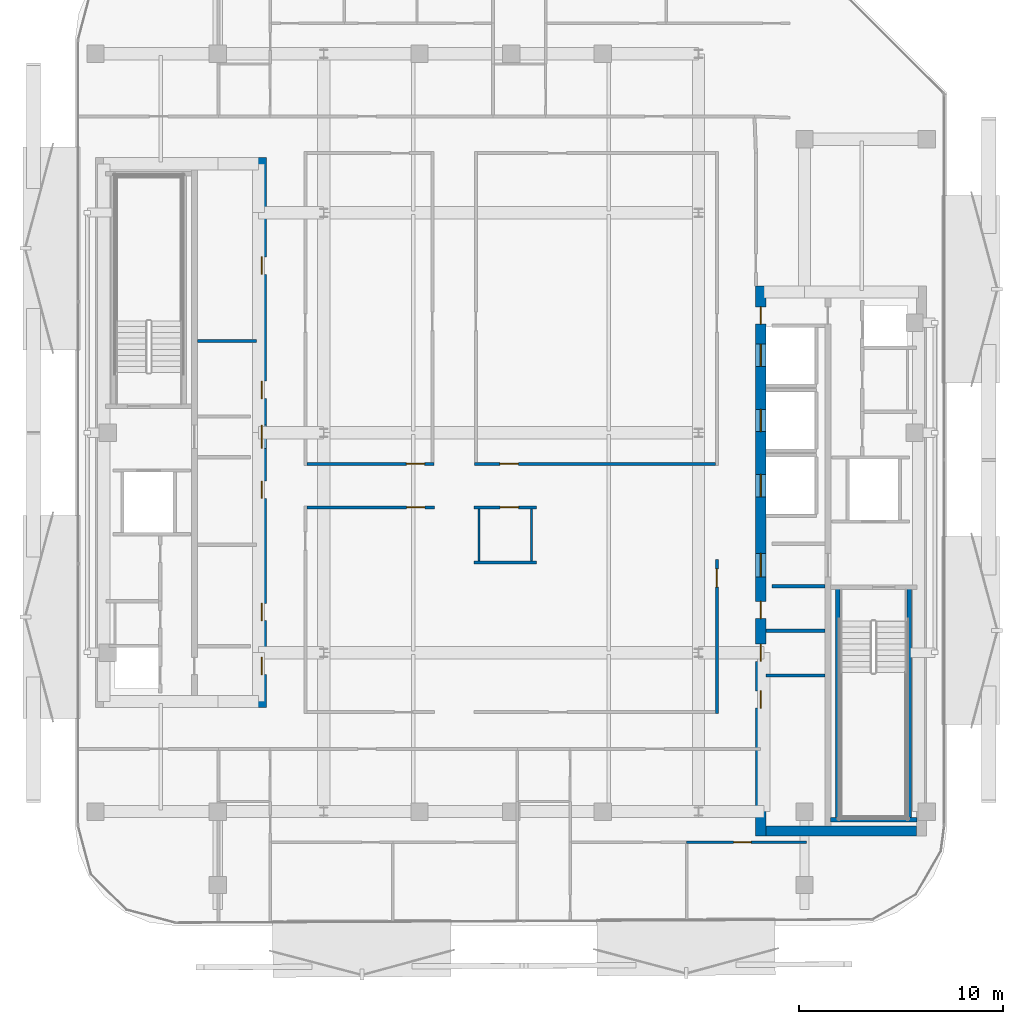
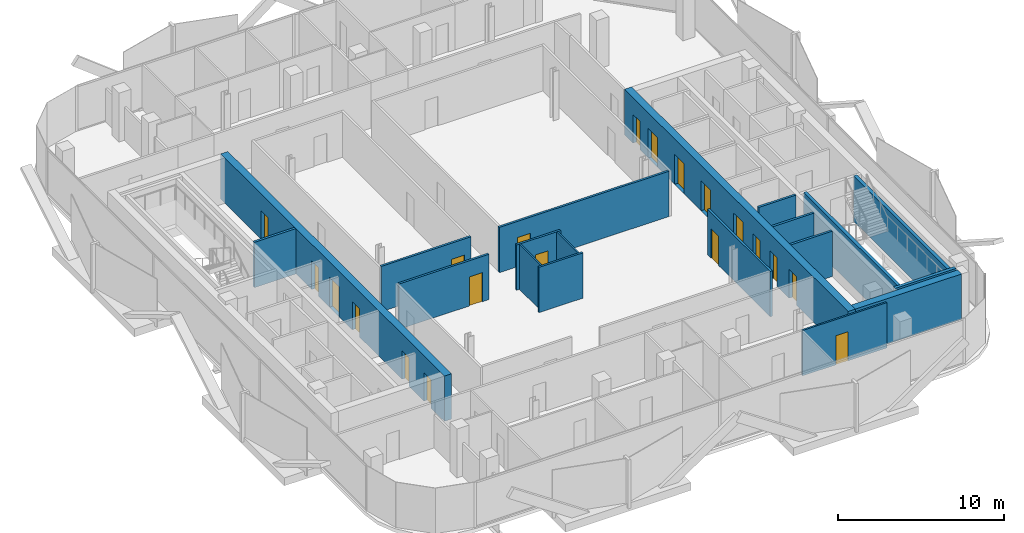
# One storey, part 4 of 15: 20 doors, 19 walls, 20 openings.
"""IFC4 building model written with IfcOpenShell, lengths in metres."""

from ifc_helpers import new_model, si_unit, direction, frame, frame_2d, origin, place, context, subcontext, project, spatial, rectangle, extrude, material, layer, layer_set, type_object, element, fill, save


model = new_model("IFC4")

# Units and contexts
model_context = context("Model", 3, precision=1e-05, world=origin(), true_north=direction((0.0, 1.0)))
body_context = subcontext(model_context, "Body", "Model", "MODEL_VIEW")
ifc_project = project(units=[si_unit("LENGTHUNIT", "METRE"), si_unit("AREAUNIT", "SQUARE_METRE"), si_unit("VOLUMEUNIT", "CUBIC_METRE"), si_unit("PLANEANGLEUNIT", "RADIAN"), si_unit("MASSUNIT", "GRAM", prefix="KILO")], contexts=[model_context])

# Site, building, storey
site_placement = place(None, origin())
site = spatial("IfcSite", under=ifc_project, at=site_placement, CompositionType="ELEMENT")
building_placement = place(site_placement, origin())
building = spatial("IfcBuilding", under=site, at=building_placement, Name="Khairoan Windgate Tower", CompositionType="ELEMENT")
storey_placement = place(building_placement, frame((0.0, 0.0, 262.0)))
storey = spatial("IfcBuildingStorey", under=building, at=storey_placement, Name="L62", CompositionType="ELEMENT", Elevation=262.0)

# Walls
ifc_material_1 = material(Name="Moisture-Resistant Gypsum Partition", Category="gypsum")
ifc_layer_1 = layer(ifc_material_1, 0.10009765625, Name="Moisture-Resistant Gypsum Partition")
ifc_layer_set_1 = layer_set([ifc_layer_1], Name="Moisture-Resistant Gypsum Partition")
wall_type_1 = type_object("IfcWallType", Name="Bathroom Wet-Area Partition Wall", PredefinedType="PARTITIONING", material=ifc_layer_set_1)
for number, where, z_axis, x_axis, name in (
    (1, (1.0, -3.739990234375, 0.0), (0.0, 0.0, 1.0), (0.0, -1.0, 0.0), "L62 Wet Room Side Wall 085"),
    (2, (-1.590087890625, -6.31005859375, 0.0), (0.0, 0.0, 1.0), (0.0, 1.0, 0.0), "L62 Wet Room Side Wall 086"),
):
    element("IfcWall", number, at=place(storey_placement, frame(where, z_axis=z_axis, x_axis=x_axis)), inside=storey, type_object=wall_type_1, Name=name, PredefinedType="PARTITIONING", context=body_context, shape_type="SweptSolid", body=[
        extrude(rectangle(XDim=2.570068359375, YDim=0.10009765625, at=frame_2d((1.28515625, 0.0))), origin(), (0.0, 0.0, 1.0), 3.340087890625),
    ])
ifc_material_2 = material(Name="Concrete C40/50", Category="concrete")
ifc_layer_2 = layer(ifc_material_2, 0.159912109375, Name="Concrete C40/50")
ifc_layer_set_2 = layer_set([ifc_layer_2], Name="Concrete C40/50")
wall_type_2 = type_object("IfcWallType", Name="Core and Hoistway Enclosure Wall", PredefinedType="STANDARD", material=ifc_layer_set_2)
wall_1_placement = place(storey_placement, frame((12.800048828125, -7.5400390625, 0.0), z_axis=(0.0, 0.0, 1.0), x_axis=(1.0, 0.0, 0.0)))
element("IfcWall", 3, at=wall_1_placement, inside=storey, type_object=wall_type_2, Name="L62 Core Shaft Wall SW-EV2-L62", PredefinedType="STANDARD", context=body_context, shape_type="SweptSolid", body=[
    extrude(rectangle(XDim=2.599853515625, YDim=0.159912109375, at=frame_2d((1.2998046875, 0.0))), origin(), (0.0, 0.0, 1.0), 3.340087890625),
])
ifc_material_3 = material(Name="Acoustic Fire-Rated Gypsum Partition", Category="gypsum")
ifc_layer_3 = layer(ifc_material_3, 0.139892578125, Name="Acoustic Fire-Rated Gypsum Partition")
ifc_layer_set_3 = layer_set([ifc_layer_3], Name="Acoustic Fire-Rated Gypsum Partition")
wall_type_3 = type_object("IfcWallType", Name="Inter-Tenancy Compartment Wall", PredefinedType="PARTITIONING", material=ifc_layer_set_3)
wall_2_placement = place(storey_placement, frame((-1.830078125, -6.3798828125, 0.0), z_axis=(0.0, 0.0, 1.0), x_axis=(1.0, 0.0, 0.0)))
element("IfcWall", 4, at=wall_2_placement, inside=storey, type_object=wall_type_3, Name="L62 Interior Partition 082", PredefinedType="PARTITIONING", context=body_context, shape_type="SweptSolid", body=[
    extrude(rectangle(XDim=3.070068359375, YDim=0.139892578125, at=frame_2d((1.53515625, 0.0))), origin(), (0.0, 0.0, 1.0), 3.340087890625),
])

# Wall, opening, door
ifc_material_4 = material(Name="Gypsum Stud Partition", Category="gypsum")
ifc_layer_4 = layer(ifc_material_4, 0.1201171875, Name="Gypsum Stud Partition")
ifc_layer_set_4 = layer_set([ifc_layer_4], Name="Gypsum Stud Partition")
wall_type_4 = type_object("IfcWallType", Name="Internal Room Partition Wall", PredefinedType="PARTITIONING", material=ifc_layer_set_4)
wall_3_placement = place(storey_placement, frame((8.614990234375, -20.10009765625, 0.0), z_axis=(0.0, 0.0, 1.0), x_axis=(1.0, 0.0, 0.0)))
wall_3 = element("IfcWall", 5, at=wall_3_placement, inside=storey, type_object=wall_type_4, Name="L62 Interior Partition 080", PredefinedType="PARTITIONING", context=body_context, shape_type="SweptSolid", body=[
    extrude(rectangle(XDim=5.885009765625, YDim=0.1201171875, at=frame_2d((2.9423828125, 0.0))), origin(), (0.0, 0.0, 1.0), 3.340087890625),
])
opening_1_placement = place(wall_3_placement, frame((2.30712890625, 0.0, 0.0)))
opening_1 = element("IfcOpeningElement", 6, at=opening_1_placement, cuts=wall_3, Name="Opening ID-RM", PredefinedType="OPENING", context=body_context, shape_type="SweptSolid", body=[
    extrude(rectangle(XDim=0.860107421875, YDim=2.14990234375, at=frame_2d((0.43017578125, 1.074951171875))), frame((0.0, 0.070068359375, 0.0), z_axis=(0.0, -1.0, 0.0), x_axis=(1.0, 0.0, 0.0)), (0.0, 0.0, 1.0), 0.14013671875),
])
ifc_material_5 = material(Name="Teak Veneer Timber Leaf", Category="wood")
door_type_1 = type_object("IfcDoorType", Name="Internal Bedroom and Office Door ID-RM 860x2150", OperationType="NOTDEFINED", PredefinedType="DOOR", material=ifc_material_5)
door_1_placement = place(opening_1_placement, origin())
door_1 = element("IfcDoor", 7, at=door_1_placement, inside=storey, type_object=door_type_1, Name="L62 L62-53-L62-55 Door", OperationType="SINGLE_SWING_RIGHT", OverallHeight=2.14990234375, OverallWidth=0.860107421875, PredefinedType="DOOR", context=body_context, shape_type="SweptSolid", body=[
    extrude(rectangle(XDim=0.860107421875, YDim=2.14990234375, at=frame_2d((0.43017578125, 1.074951171875))), frame((0.0, 0.02490234375, 0.0), z_axis=(0.0, -1.0, 0.0), x_axis=(1.0, 0.0, 0.0)), (0.0, 0.0, 1.0), 0.050048828125),
])
fill(opening_1, door_1)

# Walls
ifc_material_6 = material(Name="Concrete C40/50", Category="concrete")
ifc_layer_5 = layer(ifc_material_6, 0.159912109375, Name="Concrete C40/50")
ifc_layer_set_5 = layer_set([ifc_layer_5], Name="Concrete C40/50")
wall_type_5 = type_object("IfcWallType", Name="Plant and Refuge Compartment Wall", PredefinedType="PARTITIONING", material=ifc_layer_set_5)
for number, where, z_axis, x_axis, name in (
    (8, (-15.39990234375, 4.5, 0.0), (0.0, 0.0, 1.0), (1.0, 0.0, 0.0), "L62 Interior Partition 006"),
    (9, (12.5, -11.919921875, 0.0), (0.0, 0.0, 1.0), (1.0, 0.0, 0.0), "L62 Interior Partition 013"),
    (10, (12.5, -9.719970703125, 0.0), (0.0, 0.0, 1.0), (1.0, 0.0, 0.0), "L62 Interior Partition 014"),
):
    element("IfcWall", number, at=place(storey_placement, frame(where, z_axis=z_axis, x_axis=x_axis)), inside=storey, type_object=wall_type_5, Name=name, PredefinedType="PARTITIONING", context=body_context, shape_type="SweptSolid", body=[
        extrude(rectangle(XDim=2.89990234375, YDim=0.159912109375, at=frame_2d((1.449951171875, 0.0))), origin(), (0.0, 0.0, 1.0), 3.340087890625),
    ])

# Wall, opening, door
ifc_material_7 = material(Name="Acoustic Fire-Rated Gypsum Partition", Category="gypsum")
ifc_layer_6 = layer(ifc_material_7, 0.14990234375, Name="Acoustic Fire-Rated Gypsum Partition")
ifc_layer_set_6 = layer_set([ifc_layer_6], Name="Acoustic Fire-Rated Gypsum Partition")
wall_type_6 = type_object("IfcWallType", Name="Rated Corridor Partition Wall", PredefinedType="PARTITIONING", material=ifc_layer_set_6)
wall_4_placement = place(storey_placement, frame((10.10009765625, -13.794921875, 0.0), z_axis=(0.0, 0.0, 1.0), x_axis=(0.0, 1.0, 0.0)))
wall_4 = element("IfcWall", 11, at=wall_4_placement, inside=storey, type_object=wall_type_6, Name="L62 Interior Partition 019", PredefinedType="PARTITIONING", context=body_context, shape_type="SweptSolid", body=[
    extrude(rectangle(XDim=7.574951171875, YDim=0.14990234375, at=frame_2d((3.78759765625, 0.0))), origin(), (0.0, 0.0, 1.0), 3.340087890625),
])
opening_2_placement = place(wall_4_placement, frame((6.215087890625, 0.0, 0.0)))
opening_2 = element("IfcOpeningElement", 12, at=opening_2_placement, cuts=wall_4, Name="Opening FD-ENT", PredefinedType="OPENING", context=body_context, shape_type="SweptSolid", body=[
    extrude(rectangle(XDim=0.89990234375, YDim=2.14990234375, at=frame_2d((0.449951171875, 1.074951171875))), frame((0.0, 0.0849609375, 0.0), z_axis=(0.0, -1.0, 0.0), x_axis=(1.0, 0.0, 0.0)), (0.0, 0.0, 1.0), 0.169921875),
])
ifc_material_8 = material(Name="Timber Fire-Rated Core", Category="wood")
door_type_2 = type_object("IfcDoorType", Name="Unit and Office Fire Entrance Door FD-ENT 900x2150", OperationType="NOTDEFINED", PredefinedType="DOOR", material=ifc_material_8)
door_2_placement = place(opening_2_placement, origin())
door_2 = element("IfcDoor", 13, at=door_2_placement, inside=storey, type_object=door_type_2, Name="L62 L62-30-L62-63 Door", OperationType="SINGLE_SWING_RIGHT", OverallHeight=2.14990234375, OverallWidth=0.89990234375, PredefinedType="DOOR", context=body_context, shape_type="SweptSolid", body=[
    extrude(rectangle(XDim=0.89990234375, YDim=2.14990234375, at=frame_2d((0.449951171875, 1.074951171875))), frame((0.0, 0.02490234375, 0.0), z_axis=(0.0, -1.0, 0.0), x_axis=(1.0, 0.0, 0.0)), (0.0, 0.0, 1.0), 0.050048828125),
])
fill(opening_2, door_2)

wall_5_placement = place(storey_placement, frame((-10.02490234375, -1.534912109375, 0.0), z_axis=(0.0, 0.0, 1.0), x_axis=(1.0, 0.0, 0.0)))
wall_5 = element("IfcWall", 14, at=wall_5_placement, inside=storey, type_object=wall_type_6, Name="L62 Interior Partition 020", PredefinedType="PARTITIONING", context=body_context, shape_type="SweptSolid", body=[
    extrude(rectangle(XDim=6.23486328125, YDim=0.14990234375, at=frame_2d((3.117431640625, 0.0))), origin(), (0.0, 0.0, 1.0), 3.340087890625),
])
opening_3_placement = place(wall_5_placement, frame((4.875, 0.0, 0.0)))
opening_3 = element("IfcOpeningElement", 15, at=opening_3_placement, cuts=wall_5, Name="Opening FD-ENT", PredefinedType="OPENING", context=body_context, shape_type="SweptSolid", body=[
    extrude(rectangle(XDim=0.89990234375, YDim=2.14990234375, at=frame_2d((0.449951171875, 1.074951171875))), frame((0.0, 0.0849609375, 0.0), z_axis=(0.0, -1.0, 0.0), x_axis=(1.0, 0.0, 0.0)), (0.0, 0.0, 1.0), 0.169921875),
])
door_3_placement = place(opening_3_placement, origin())
door_3 = element("IfcDoor", 16, at=door_3_placement, inside=storey, type_object=door_type_2, Name="L62 L62-31-L62-59 Door", OperationType="SINGLE_SWING_LEFT", OverallHeight=2.14990234375, OverallWidth=0.89990234375, PredefinedType="DOOR", context=body_context, shape_type="SweptSolid", body=[
    extrude(rectangle(XDim=0.89990234375, YDim=2.14990234375, at=frame_2d((0.449951171875, 1.074951171875))), frame((0.0, 0.02490234375, 0.0), z_axis=(0.0, -1.0, 0.0), x_axis=(1.0, 0.0, 0.0)), (0.0, 0.0, 1.0), 0.050048828125),
])
fill(opening_3, door_3)

wall_6_placement = place(storey_placement, frame((-10.02490234375, -3.6650390625, 0.0), z_axis=(0.0, 0.0, 1.0), x_axis=(1.0, 0.0, 0.0)))
wall_6 = element("IfcWall", 17, at=wall_6_placement, inside=storey, type_object=wall_type_6, Name="L62 Interior Partition 021", PredefinedType="PARTITIONING", context=body_context, shape_type="SweptSolid", body=[
    extrude(rectangle(XDim=6.2548828125, YDim=0.14990234375, at=frame_2d((3.12744140625, 0.0))), origin(), (0.0, 0.0, 1.0), 3.340087890625),
])
opening_4_placement = place(wall_6_placement, frame((4.89501953125, 0.0, 0.0)))
opening_4 = element("IfcOpeningElement", 18, at=opening_4_placement, cuts=wall_6, Name="Opening FD-ENT", PredefinedType="OPENING", context=body_context, shape_type="SweptSolid", body=[
    extrude(rectangle(XDim=0.89990234375, YDim=2.14990234375, at=frame_2d((0.449951171875, 1.074951171875))), frame((0.0, 0.0849609375, 0.0), z_axis=(0.0, -1.0, 0.0), x_axis=(1.0, 0.0, 0.0)), (0.0, 0.0, 1.0), 0.169921875),
])
door_4_placement = place(opening_4_placement, origin())
door_4 = element("IfcDoor", 19, at=door_4_placement, inside=storey, type_object=door_type_2, Name="L62 L62-31-L62-60 Door", OperationType="SINGLE_SWING_RIGHT", OverallHeight=2.14990234375, OverallWidth=0.89990234375, PredefinedType="DOOR", context=body_context, shape_type="SweptSolid", body=[
    extrude(rectangle(XDim=0.89990234375, YDim=2.14990234375, at=frame_2d((0.449951171875, 1.074951171875))), frame((0.0, 0.02490234375, 0.0), z_axis=(0.0, -1.0, 0.0), x_axis=(1.0, 0.0, 0.0)), (0.0, 0.0, 1.0), 0.050048828125),
])
fill(opening_4, door_4)

wall_7_placement = place(storey_placement, frame((-1.81005859375, -1.534912109375, 0.0), z_axis=(0.0, 0.0, 1.0), x_axis=(1.0, 0.0, 0.0)))
wall_7 = element("IfcWall", 20, at=wall_7_placement, inside=storey, type_object=wall_type_6, Name="L62 Interior Partition 022", PredefinedType="PARTITIONING", context=body_context, shape_type="SweptSolid", body=[
    extrude(rectangle(XDim=11.8349609375, YDim=0.14990234375, at=frame_2d((5.91748046875, 0.0))), origin(), (0.0, 0.0, 1.0), 3.340087890625),
])
opening_5_placement = place(wall_7_placement, frame((1.26123046875, 0.0, 0.0)))
opening_5 = element("IfcOpeningElement", 21, at=opening_5_placement, cuts=wall_7, Name="Opening FD-ENT", PredefinedType="OPENING", context=body_context, shape_type="SweptSolid", body=[
    extrude(rectangle(XDim=0.89990234375, YDim=2.14990234375, at=frame_2d((0.449951171875, 1.074951171875))), frame((0.0, 0.0849609375, 0.0), z_axis=(0.0, -1.0, 0.0), x_axis=(1.0, 0.0, 0.0)), (0.0, 0.0, 1.0), 0.169921875),
])
door_5_placement = place(opening_5_placement, origin())
door_5 = element("IfcDoor", 22, at=door_5_placement, inside=storey, type_object=door_type_2, Name="L62 L62-31-L62-61 Door", OperationType="SINGLE_SWING_LEFT", OverallHeight=2.14990234375, OverallWidth=0.89990234375, PredefinedType="DOOR", context=body_context, shape_type="SweptSolid", body=[
    extrude(rectangle(XDim=0.89990234375, YDim=2.14990234375, at=frame_2d((0.449951171875, 1.074951171875))), frame((0.0, 0.02490234375, 0.0), z_axis=(0.0, -1.0, 0.0), x_axis=(1.0, 0.0, 0.0)), (0.0, 0.0, 1.0), 0.050048828125),
])
fill(opening_5, door_5)

wall_8_placement = place(storey_placement, frame((-1.830078125, -3.6650390625, 0.0), z_axis=(0.0, 0.0, 1.0), x_axis=(1.0, 0.0, 0.0)))
wall_8 = element("IfcWall", 23, at=wall_8_placement, inside=storey, type_object=wall_type_6, Name="L62 Interior Partition 023", PredefinedType="PARTITIONING", context=body_context, shape_type="SweptSolid", body=[
    extrude(rectangle(XDim=3.070068359375, YDim=0.14990234375, at=frame_2d((1.53515625, 0.0))), origin(), (0.0, 0.0, 1.0), 3.340087890625),
])
opening_6_placement = place(wall_8_placement, frame((1.293212890625, 0.0, 0.0)))
opening_6 = element("IfcOpeningElement", 24, at=opening_6_placement, cuts=wall_8, Name="Opening FD-ENT", PredefinedType="OPENING", context=body_context, shape_type="SweptSolid", body=[
    extrude(rectangle(XDim=0.89990234375, YDim=2.14990234375, at=frame_2d((0.449951171875, 1.074951171875))), frame((0.0, 0.0849609375, 0.0), z_axis=(0.0, -1.0, 0.0), x_axis=(1.0, 0.0, 0.0)), (0.0, 0.0, 1.0), 0.169921875),
])
door_6_placement = place(opening_6_placement, origin())
door_6 = element("IfcDoor", 25, at=door_6_placement, inside=storey, type_object=door_type_2, Name="L62 L62-31-L62-62 Door", OperationType="SINGLE_SWING_RIGHT", OverallHeight=2.14990234375, OverallWidth=0.89990234375, PredefinedType="DOOR", context=body_context, shape_type="SweptSolid", body=[
    extrude(rectangle(XDim=0.89990234375, YDim=2.14990234375, at=frame_2d((0.449951171875, 1.074951171875))), frame((0.0, 0.02490234375, 0.0), z_axis=(0.0, -1.0, 0.0), x_axis=(1.0, 0.0, 0.0)), (0.0, 0.0, 1.0), 0.050048828125),
])
fill(opening_6, door_6)

# Wall, openings, doors
ifc_material_9 = material(Name="Concrete C50/60", Category="concrete")
ifc_layer_7 = layer(ifc_material_9, 0.5, Name="Concrete C50/60")
ifc_layer_set_7 = layer_set([ifc_layer_7], Name="Concrete C50/60")
wall_type_7 = type_object("IfcWallType", Name="Shear Wall CW-E3 500mm", PredefinedType="SHEAR", material=ifc_layer_set_7)
wall_9_placement = place(storey_placement, frame((12.25, -19.800048828125, 0.0), z_axis=(0.0, 0.0, 1.0), x_axis=(0.0, 1.0, 0.0)))
wall_9 = element("IfcWall", 26, at=wall_9_placement, inside=storey, type_object=wall_type_7, Name="E Core West Shear Wall L62", PredefinedType="SHEAR", context=body_context, shape_type="SweptSolid", body=[
    extrude(rectangle(XDim=27.0, YDim=0.5, at=frame_2d((13.5, 0.0))), origin(), (0.0, 0.0, 1.0), 3.340087890625),
])
opening_7_placement = place(wall_9_placement, frame((23.050048828125, 0.0, 0.0)))
opening_7 = element("IfcOpeningElement", 27, at=opening_7_placement, cuts=wall_9, Name="Opening LD-PL", PredefinedType="OPENING", context=body_context, shape_type="SweptSolid", body=[
    extrude(rectangle(XDim=1.10009765625, YDim=2.199951171875, at=frame_2d((0.550048828125, 1.10009765625))), frame((0.0, 0.260009765625, 0.0), z_axis=(0.0, -1.0, 0.0), x_axis=(1.0, 0.0, 0.0)), (0.0, 0.0, 1.0), 0.52001953125),
])
opening_8_placement = place(wall_9_placement, frame((19.85009765625, 0.0, 0.0)))
opening_8 = element("IfcOpeningElement", 28, at=opening_8_placement, cuts=wall_9, Name="Opening LD-PL", PredefinedType="OPENING", context=body_context, shape_type="SweptSolid", body=[
    extrude(rectangle(XDim=1.10009765625, YDim=2.199951171875, at=frame_2d((0.550048828125, 1.10009765625))), frame((0.0, 0.260009765625, 0.0), z_axis=(0.0, -1.0, 0.0), x_axis=(1.0, 0.0, 0.0)), (0.0, 0.0, 1.0), 0.52001953125),
])
opening_9_placement = place(wall_9_placement, frame((16.64990234375, 0.0, 0.0)))
opening_9 = element("IfcOpeningElement", 29, at=opening_9_placement, cuts=wall_9, Name="Opening LD-PL", PredefinedType="OPENING", context=body_context, shape_type="SweptSolid", body=[
    extrude(rectangle(XDim=1.10009765625, YDim=2.199951171875, at=frame_2d((0.550048828125, 1.10009765625))), frame((0.0, 0.260009765625, 0.0), z_axis=(0.0, -1.0, 0.0), x_axis=(1.0, 0.0, 0.0)), (0.0, 0.0, 1.0), 0.52001953125),
])
opening_10_placement = place(wall_9_placement, frame((6.27490234375, 0.0, 0.0)))
opening_10 = element("IfcOpeningElement", 30, at=opening_10_placement, cuts=wall_9, Name="Opening FD-SRV", PredefinedType="OPENING", context=body_context, shape_type="SweptSolid", body=[
    extrude(rectangle(XDim=0.85009765625, YDim=2.10009765625, at=frame_2d((0.425048828125, 1.050048828125))), frame((0.0, 0.260009765625, 0.0), z_axis=(0.0, -1.0, 0.0), x_axis=(1.0, 0.0, 0.0)), (0.0, 0.0, 1.0), 0.52001953125),
])
opening_11_placement = place(wall_9_placement, frame((8.574951171875, 0.0, 0.0)))
opening_11 = element("IfcOpeningElement", 31, at=opening_11_placement, cuts=wall_9, Name="Opening FD-SRV", PredefinedType="OPENING", context=body_context, shape_type="SweptSolid", body=[
    extrude(rectangle(XDim=0.85009765625, YDim=2.10009765625, at=frame_2d((0.425048828125, 1.050048828125))), frame((0.0, 0.260009765625, 0.0), z_axis=(0.0, -1.0, 0.0), x_axis=(1.0, 0.0, 0.0)), (0.0, 0.0, 1.0), 0.52001953125),
])
opening_12_placement = place(wall_9_placement, frame((10.675048828125, 0.0, 0.0)))
opening_12 = element("IfcOpeningElement", 32, at=opening_12_placement, cuts=wall_9, Name="Opening FD-SRV", PredefinedType="OPENING", context=body_context, shape_type="SweptSolid", body=[
    extrude(rectangle(XDim=0.85009765625, YDim=2.10009765625, at=frame_2d((0.425048828125, 1.050048828125))), frame((0.0, 0.260009765625, 0.0), z_axis=(0.0, -1.0, 0.0), x_axis=(1.0, 0.0, 0.0)), (0.0, 0.0, 1.0), 0.52001953125),
])
opening_13_placement = place(wall_9_placement, frame((12.72509765625, 0.0, 0.0)))
opening_13 = element("IfcOpeningElement", 33, at=opening_13_placement, cuts=wall_9, Name="Opening FD-FFL", PredefinedType="OPENING", context=body_context, shape_type="SweptSolid", body=[
    extrude(rectangle(XDim=1.14990234375, YDim=2.199951171875, at=frame_2d((0.574951171875, 1.10009765625))), frame((0.0, 0.260009765625, 0.0), z_axis=(0.0, -1.0, 0.0), x_axis=(1.0, 0.0, 0.0)), (0.0, 0.0, 1.0), 0.52001953125),
])
opening_14_placement = place(wall_9_placement, frame((25.125, 0.0, 0.0)))
opening_14 = element("IfcOpeningElement", 34, at=opening_14_placement, cuts=wall_9, Name="Opening FD-SRV", PredefinedType="OPENING", context=body_context, shape_type="SweptSolid", body=[
    extrude(rectangle(XDim=0.85009765625, YDim=2.10009765625, at=frame_2d((0.425048828125, 1.050048828125))), frame((0.0, 0.260009765625, 0.0), z_axis=(0.0, -1.0, 0.0), x_axis=(1.0, 0.0, 0.0)), (0.0, 0.0, 1.0), 0.52001953125),
])
ifc_material_10 = material(Name="Steel S355", Category="steel")
door_type_3 = type_object("IfcDoorType", Name="Core Service and Riser Fire Door FD-SRV 850x2100", OperationType="NOTDEFINED", PredefinedType="DOOR", material=ifc_material_10)
door_7_placement = place(opening_10_placement, origin())
door_7 = element("IfcDoor", 35, at=door_7_placement, inside=storey, type_object=door_type_3, Name="L62 East Core Service Room Door 1", OperationType="SINGLE_SWING_LEFT", OverallHeight=2.10009765625, OverallWidth=0.85009765625, PredefinedType="DOOR", context=body_context, shape_type="SweptSolid", body=[
    extrude(rectangle(XDim=0.85009765625, YDim=2.10009765625, at=frame_2d((0.425048828125, 1.050048828125))), frame((0.0, 0.02490234375, 0.0), z_axis=(0.0, -1.0, 0.0), x_axis=(1.0, 0.0, 0.0)), (0.0, 0.0, 1.0), 0.050048828125),
])
fill(opening_10, door_7)
door_8_placement = place(opening_11_placement, origin())
door_8 = element("IfcDoor", 36, at=door_8_placement, inside=storey, type_object=door_type_3, Name="L62 East Core Service Room Door 2", OperationType="SINGLE_SWING_RIGHT", OverallHeight=2.10009765625, OverallWidth=0.85009765625, PredefinedType="DOOR", context=body_context, shape_type="SweptSolid", body=[
    extrude(rectangle(XDim=0.85009765625, YDim=2.10009765625, at=frame_2d((0.425048828125, 1.050048828125))), frame((0.0, 0.02490234375, 0.0), z_axis=(0.0, -1.0, 0.0), x_axis=(1.0, 0.0, 0.0)), (0.0, 0.0, 1.0), 0.050048828125),
])
fill(opening_11, door_8)
door_9_placement = place(opening_12_placement, origin())
door_9 = element("IfcDoor", 37, at=door_9_placement, inside=storey, type_object=door_type_3, Name="L62 East Core Service Room Door 3", OperationType="SINGLE_SWING_LEFT", OverallHeight=2.10009765625, OverallWidth=0.85009765625, PredefinedType="DOOR", context=body_context, shape_type="SweptSolid", body=[
    extrude(rectangle(XDim=0.85009765625, YDim=2.10009765625, at=frame_2d((0.425048828125, 1.050048828125))), frame((0.0, 0.02490234375, 0.0), z_axis=(0.0, -1.0, 0.0), x_axis=(1.0, 0.0, 0.0)), (0.0, 0.0, 1.0), 0.050048828125),
])
fill(opening_12, door_9)
door_10_placement = place(opening_14_placement, origin())
door_10 = element("IfcDoor", 38, at=door_10_placement, inside=storey, type_object=door_type_3, Name="L62 East Core Service Vestibule Outer Door", OperationType="SINGLE_SWING_RIGHT", OverallHeight=2.10009765625, OverallWidth=0.85009765625, PredefinedType="DOOR", context=body_context, shape_type="SweptSolid", body=[
    extrude(rectangle(XDim=0.85009765625, YDim=2.10009765625, at=frame_2d((0.425048828125, 1.050048828125))), frame((0.0, 0.02490234375, 0.0), z_axis=(0.0, -1.0, 0.0), x_axis=(1.0, 0.0, 0.0)), (0.0, 0.0, 1.0), 0.050048828125),
])
fill(opening_14, door_10)
ifc_material_11 = material(Name="Steel S355", Category="steel")
door_type_4 = type_object("IfcDoorType", Name="Firefighting Lobby Fire Door FD-FFL 1150x2200", OperationType="NOTDEFINED", PredefinedType="DOOR", material=ifc_material_11)
door_11_placement = place(opening_13_placement, origin())
door_11 = element("IfcDoor", 39, at=door_11_placement, inside=storey, type_object=door_type_4, Name="L62 East Core Vestibule Entry Door", OperationType="SINGLE_SWING_RIGHT", OverallHeight=2.199951171875, OverallWidth=1.14990234375, PredefinedType="DOOR", context=body_context, shape_type="SweptSolid", body=[
    extrude(rectangle(XDim=1.14990234375, YDim=2.199951171875, at=frame_2d((0.574951171875, 1.10009765625))), frame((0.0, 0.02490234375, 0.0), z_axis=(0.0, -1.0, 0.0), x_axis=(1.0, 0.0, 0.0)), (0.0, 0.0, 1.0), 0.050048828125),
])
fill(opening_13, door_11)
ifc_material_12 = material(Name="Anodised Bronze Aluminium 6063-T6", Category="aluminium")
door_type_5 = type_object("IfcDoorType", Name="Passenger Lift Sliding Landing Door LD-PL 1100x2200", OperationType="DOUBLE_DOOR_SLIDING", PredefinedType="DOOR", material=ifc_material_12)
door_12_placement = place(opening_7_placement, origin())
door_12 = element("IfcDoor", 40, at=door_12_placement, inside=storey, type_object=door_type_5, Name="L62 Lift PL7 Sliding Landing Door", OperationType="DOUBLE_DOOR_SLIDING", OverallHeight=2.199951171875, OverallWidth=1.10009765625, PredefinedType="DOOR", context=body_context, shape_type="SweptSolid", body=[
    extrude(rectangle(XDim=1.10009765625, YDim=2.199951171875, at=frame_2d((0.550048828125, 1.10009765625))), frame((0.0, 0.02490234375, 0.0), z_axis=(0.0, -1.0, 0.0), x_axis=(1.0, 0.0, 0.0)), (0.0, 0.0, 1.0), 0.050048828125),
])
fill(opening_7, door_12)
door_13_placement = place(opening_8_placement, origin())
door_13 = element("IfcDoor", 41, at=door_13_placement, inside=storey, type_object=door_type_5, Name="L62 Lift PL8 Sliding Landing Door", OperationType="DOUBLE_DOOR_SLIDING", OverallHeight=2.199951171875, OverallWidth=1.10009765625, PredefinedType="DOOR", context=body_context, shape_type="SweptSolid", body=[
    extrude(rectangle(XDim=1.10009765625, YDim=2.199951171875, at=frame_2d((0.550048828125, 1.10009765625))), frame((0.0, 0.02490234375, 0.0), z_axis=(0.0, -1.0, 0.0), x_axis=(1.0, 0.0, 0.0)), (0.0, 0.0, 1.0), 0.050048828125),
])
fill(opening_8, door_13)
door_14_placement = place(opening_9_placement, origin())
door_14 = element("IfcDoor", 42, at=door_14_placement, inside=storey, type_object=door_type_5, Name="L62 Lift PL9 Sliding Landing Door", OperationType="DOUBLE_DOOR_SLIDING", OverallHeight=2.199951171875, OverallWidth=1.10009765625, PredefinedType="DOOR", context=body_context, shape_type="SweptSolid", body=[
    extrude(rectangle(XDim=1.10009765625, YDim=2.199951171875, at=frame_2d((0.550048828125, 1.10009765625))), frame((0.0, 0.02490234375, 0.0), z_axis=(0.0, -1.0, 0.0), x_axis=(1.0, 0.0, 0.0)), (0.0, 0.0, 1.0), 0.050048828125),
])
fill(opening_9, door_14)

# Wall
wall_10_placement = place(storey_placement, frame((12.5, -19.550048828125, 0.0), z_axis=(0.0, 0.0, 1.0), x_axis=(1.0, 0.0, 0.0)))
element("IfcWall", 43, at=wall_10_placement, inside=storey, type_object=wall_type_7, Name="E Core South Shear Wall L62", PredefinedType="SHEAR", context=body_context, shape_type="SweptSolid", body=[
    extrude(rectangle(XDim=7.39990234375, YDim=0.5, at=frame_2d((3.699951171875, 0.0))), origin(), (0.0, 0.0, 1.0), 3.340087890625),
])

# Wall, openings, doors
ifc_material_13 = material(Name="Concrete C50/60", Category="concrete")
ifc_layer_8 = layer(ifc_material_13, 0.5, Name="Concrete C50/60")
ifc_layer_set_8 = layer_set([ifc_layer_8], Name="Concrete C50/60")
wall_type_8 = type_object("IfcWallType", Name="Shear Wall CW-W3 500mm", PredefinedType="SHEAR", material=ifc_layer_set_8)
wall_11_placement = place(storey_placement, frame((-12.25, -13.5, 0.0), z_axis=(0.0, 0.0, 1.0), x_axis=(0.0, 1.0, 0.0)))
wall_11 = element("IfcWall", 44, at=wall_11_placement, inside=storey, type_object=wall_type_8, Name="W Core East Shear Wall L62", PredefinedType="SHEAR", context=body_context, shape_type="SweptSolid", body=[
    extrude(rectangle(XDim=27.0, YDim=0.5, at=frame_2d((13.5, 0.0))), origin(), (0.0, 0.0, 1.0), 3.340087890625),
])
opening_15_placement = place(wall_11_placement, frame((15.175048828125, 0.0, 0.0)))
opening_15 = element("IfcOpeningElement", 45, at=opening_15_placement, cuts=wall_11, Name="Opening FD-SRV", PredefinedType="OPENING", context=body_context, shape_type="SweptSolid", body=[
    extrude(rectangle(XDim=0.85009765625, YDim=2.10009765625, at=frame_2d((0.425048828125, 1.050048828125))), frame((0.0, 0.260009765625, 0.0), z_axis=(0.0, -1.0, 0.0), x_axis=(1.0, 0.0, 0.0)), (0.0, 0.0, 1.0), 0.52001953125),
])
opening_16_placement = place(wall_11_placement, frame((21.27490234375, 0.0, 0.0)))
opening_16 = element("IfcOpeningElement", 46, at=opening_16_placement, cuts=wall_11, Name="Opening FD-SRV", PredefinedType="OPENING", context=body_context, shape_type="SweptSolid", body=[
    extrude(rectangle(XDim=0.85009765625, YDim=2.10009765625, at=frame_2d((0.425048828125, 1.050048828125))), frame((0.0, 0.260009765625, 0.0), z_axis=(0.0, -1.0, 0.0), x_axis=(1.0, 0.0, 0.0)), (0.0, 0.0, 1.0), 0.52001953125),
])
opening_17_placement = place(wall_11_placement, frame((4.27490234375, 0.0, 0.0)))
opening_17 = element("IfcOpeningElement", 47, at=opening_17_placement, cuts=wall_11, Name="Opening FD-SRV", PredefinedType="OPENING", context=body_context, shape_type="SweptSolid", body=[
    extrude(rectangle(XDim=0.85009765625, YDim=2.10009765625, at=frame_2d((0.425048828125, 1.050048828125))), frame((0.0, 0.260009765625, 0.0), z_axis=(0.0, -1.0, 0.0), x_axis=(1.0, 0.0, 0.0)), (0.0, 0.0, 1.0), 0.52001953125),
])
opening_18_placement = place(wall_11_placement, frame((10.27490234375, 0.0, 0.0)))
opening_18 = element("IfcOpeningElement", 48, at=opening_18_placement, cuts=wall_11, Name="Opening FD-SRV", PredefinedType="OPENING", context=body_context, shape_type="SweptSolid", body=[
    extrude(rectangle(XDim=0.85009765625, YDim=2.10009765625, at=frame_2d((0.425048828125, 1.050048828125))), frame((0.0, 0.260009765625, 0.0), z_axis=(0.0, -1.0, 0.0), x_axis=(1.0, 0.0, 0.0)), (0.0, 0.0, 1.0), 0.52001953125),
])
opening_19_placement = place(wall_11_placement, frame((12.72509765625, 0.0, 0.0)))
opening_19 = element("IfcOpeningElement", 49, at=opening_19_placement, cuts=wall_11, Name="Opening FD-FFL", PredefinedType="OPENING", context=body_context, shape_type="SweptSolid", body=[
    extrude(rectangle(XDim=1.14990234375, YDim=2.199951171875, at=frame_2d((0.574951171875, 1.10009765625))), frame((0.0, 0.260009765625, 0.0), z_axis=(0.0, -1.0, 0.0), x_axis=(1.0, 0.0, 0.0)), (0.0, 0.0, 1.0), 0.52001953125),
])
opening_20_placement = place(wall_11_placement, frame((1.625, 0.0, 0.0)))
opening_20 = element("IfcOpeningElement", 50, at=opening_20_placement, cuts=wall_11, Name="Opening FD-SRV", PredefinedType="OPENING", context=body_context, shape_type="SweptSolid", body=[
    extrude(rectangle(XDim=0.85009765625, YDim=2.10009765625, at=frame_2d((0.425048828125, 1.050048828125))), frame((0.0, 0.260009765625, 0.0), z_axis=(0.0, -1.0, 0.0), x_axis=(1.0, 0.0, 0.0)), (0.0, 0.0, 1.0), 0.52001953125),
])
door_15_placement = place(opening_15_placement, origin())
door_15 = element("IfcDoor", 51, at=door_15_placement, inside=storey, type_object=door_type_3, Name="L62 Upper Core Room Door B1-1", OperationType="SINGLE_SWING_LEFT", OverallHeight=2.10009765625, OverallWidth=0.85009765625, PredefinedType="DOOR", context=body_context, shape_type="SweptSolid", body=[
    extrude(rectangle(XDim=0.85009765625, YDim=2.10009765625, at=frame_2d((0.425048828125, 1.050048828125))), frame((0.0, 0.02490234375, 0.0), z_axis=(0.0, -1.0, 0.0), x_axis=(1.0, 0.0, 0.0)), (0.0, 0.0, 1.0), 0.050048828125),
])
fill(opening_15, door_15)
door_16_placement = place(opening_16_placement, origin())
door_16 = element("IfcDoor", 52, at=door_16_placement, inside=storey, type_object=door_type_3, Name="L62 Upper Core Room Door B1-2", OperationType="SINGLE_SWING_RIGHT", OverallHeight=2.10009765625, OverallWidth=0.85009765625, PredefinedType="DOOR", context=body_context, shape_type="SweptSolid", body=[
    extrude(rectangle(XDim=0.85009765625, YDim=2.10009765625, at=frame_2d((0.425048828125, 1.050048828125))), frame((0.0, 0.02490234375, 0.0), z_axis=(0.0, -1.0, 0.0), x_axis=(1.0, 0.0, 0.0)), (0.0, 0.0, 1.0), 0.050048828125),
])
fill(opening_16, door_16)
door_17_placement = place(opening_17_placement, origin())
door_17 = element("IfcDoor", 53, at=door_17_placement, inside=storey, type_object=door_type_3, Name="L62 Upper Core Room Door B2-1", OperationType="SINGLE_SWING_LEFT", OverallHeight=2.10009765625, OverallWidth=0.85009765625, PredefinedType="DOOR", context=body_context, shape_type="SweptSolid", body=[
    extrude(rectangle(XDim=0.85009765625, YDim=2.10009765625, at=frame_2d((0.425048828125, 1.050048828125))), frame((0.0, 0.02490234375, 0.0), z_axis=(0.0, -1.0, 0.0), x_axis=(1.0, 0.0, 0.0)), (0.0, 0.0, 1.0), 0.050048828125),
])
fill(opening_17, door_17)
door_18_placement = place(opening_18_placement, origin())
door_18 = element("IfcDoor", 54, at=door_18_placement, inside=storey, type_object=door_type_3, Name="L62 Upper Core Room Door B2-2", OperationType="SINGLE_SWING_RIGHT", OverallHeight=2.10009765625, OverallWidth=0.85009765625, PredefinedType="DOOR", context=body_context, shape_type="SweptSolid", body=[
    extrude(rectangle(XDim=0.85009765625, YDim=2.10009765625, at=frame_2d((0.425048828125, 1.050048828125))), frame((0.0, 0.02490234375, 0.0), z_axis=(0.0, -1.0, 0.0), x_axis=(1.0, 0.0, 0.0)), (0.0, 0.0, 1.0), 0.050048828125),
])
fill(opening_18, door_18)
door_19_placement = place(opening_20_placement, origin())
door_19 = element("IfcDoor", 55, at=door_19_placement, inside=storey, type_object=door_type_3, Name="L62 West Core Service Vestibule Outer Door", OperationType="SINGLE_SWING_RIGHT", OverallHeight=2.10009765625, OverallWidth=0.85009765625, PredefinedType="DOOR", context=body_context, shape_type="SweptSolid", body=[
    extrude(rectangle(XDim=0.85009765625, YDim=2.10009765625, at=frame_2d((0.425048828125, 1.050048828125))), frame((0.0, 0.02490234375, 0.0), z_axis=(0.0, -1.0, 0.0), x_axis=(1.0, 0.0, 0.0)), (0.0, 0.0, 1.0), 0.050048828125),
])
fill(opening_20, door_19)
door_20_placement = place(opening_19_placement, origin())
door_20 = element("IfcDoor", 56, at=door_20_placement, inside=storey, type_object=door_type_4, Name="L62 West Core Vestibule Entry Door", OperationType="SINGLE_SWING_RIGHT", OverallHeight=2.199951171875, OverallWidth=1.14990234375, PredefinedType="DOOR", context=body_context, shape_type="SweptSolid", body=[
    extrude(rectangle(XDim=1.14990234375, YDim=2.199951171875, at=frame_2d((0.574951171875, 1.10009765625))), frame((0.0, 0.02490234375, 0.0), z_axis=(0.0, -1.0, 0.0), x_axis=(1.0, 0.0, 0.0)), (0.0, 0.0, 1.0), 0.050048828125),
])
fill(opening_19, door_20)

# Walls
ifc_material_14 = material(Name="Concrete C50/60", Category="concrete")
ifc_layer_9 = layer(ifc_material_14, 0.219970703125, Name="Concrete C50/60")
ifc_layer_set_9 = layer_set([ifc_layer_9], Name="Concrete C50/60")
wall_type_9 = type_object("IfcWallType", Name="Shear Wall SW-ST 220mm", PredefinedType="SHEAR", material=ifc_layer_set_9)
for number, where, z_axis, x_axis, name in (
    (57, (16.0400390625, -19.010009765625, 0.0), (0.0, 0.0, 1.0), (0.0, 1.0, 0.0), "L62 Stair ST1 West Bearing Wall"),
    (58, (19.530029296875, -19.010009765625, 0.0), (0.0, 0.0, 1.0), (0.0, 1.0, 0.0), "L62 Stair ST1 East Bearing Wall"),
):
    element("IfcWall", number, at=place(storey_placement, frame(where, z_axis=z_axis, x_axis=x_axis)), inside=storey, type_object=wall_type_9, Name=name, PredefinedType="SHEAR", context=body_context, shape_type="SweptSolid", body=[
        extrude(rectangle(XDim=11.419921875, YDim=0.219970703125, at=frame_2d((5.7099609375, 0.0))), origin(), (0.0, 0.0, 1.0), 3.340087890625),
    ])
wall_12_placement = place(storey_placement, frame((15.679931640625, -19.010009765625, 0.0), z_axis=(0.0, 0.0, 1.0), x_axis=(1.0, 0.0, 0.0)))
element("IfcWall", 59, at=wall_12_placement, inside=storey, type_object=wall_type_9, Name="L62 Stair ST1 South Bearing Wall", PredefinedType="SHEAR", context=body_context, shape_type="SweptSolid", body=[
    extrude(rectangle(XDim=4.239990234375, YDim=0.219970703125, at=frame_2d((2.1201171875, 0.0))), origin(), (0.0, 0.0, 1.0), 3.340087890625),
])

save(model, "model.ifc")
